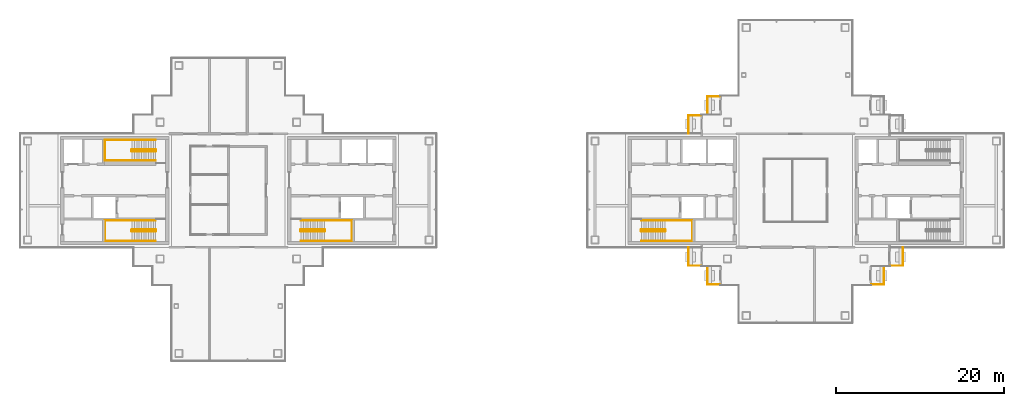
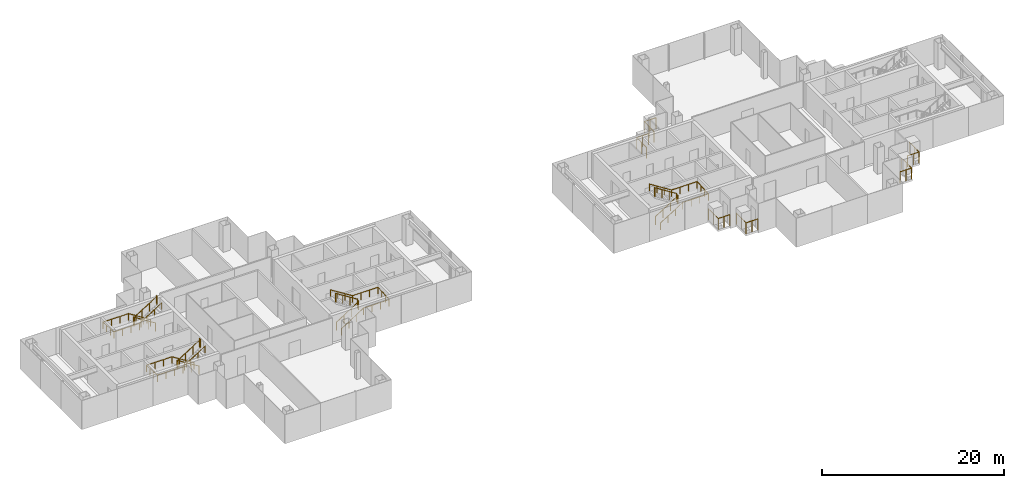
# One storey, part 14 of 16: 14 railings.
"""IFC4 building model written with IfcOpenShell, lengths in metres."""

from ifc_helpers import new_model, si_unit, direction, frame, origin, origin_2d, place, context, subcontext, project, spatial, circle, extrude, material, type_object, element, save


model = new_model("IFC4")

# Units and contexts
model_context = context("Model", 3, precision=1e-05, world=origin(), true_north=direction((0.0, 1.0)))
body_context = subcontext(model_context, "Body", "Model", "MODEL_VIEW")
ifc_project = project(units=[si_unit("LENGTHUNIT", "METRE"), si_unit("AREAUNIT", "SQUARE_METRE"), si_unit("VOLUMEUNIT", "CUBIC_METRE"), si_unit("PLANEANGLEUNIT", "RADIAN"), si_unit("MASSUNIT", "GRAM", prefix="KILO")], contexts=[model_context])

# Site, building, storey
site_placement = place(None, origin())
site = spatial("IfcSite", under=ifc_project, at=site_placement, CompositionType="ELEMENT")
building_placement = place(site_placement, origin())
building = spatial("IfcBuilding", under=site, at=building_placement, Name="Shamsa Quay Exchange Towers", CompositionType="ELEMENT")
storey_placement = place(building_placement, frame((0.0, 0.0, 246.0)))
storey = spatial("IfcBuildingStorey", under=building, at=storey_placement, Name="L59", CompositionType="ELEMENT", Elevation=246.0)

# Railings
ifc_material_1 = material(Name="Steel S355, black powder-coated", Category="steel")
railing_type_1 = type_object("IfcRailingType", Name="BALCONY GUARD 1500", PredefinedType="GUARDRAIL", material=ifc_material_1)
for number, where, name in (
    (1, (24.72900390625, 11.199951171875, 0.0), "Balcony guard T2-PKEN L59"),
    (2, (22.47900390625, 8.949951171875, 0.0), "Balcony guard T2-PKEN L59"),
):
    element("IfcRailing", number, at=place(storey_placement, frame(where)), inside=storey, type_object=railing_type_1, Name=name, PredefinedType="GUARDRAIL", context=body_context, shape_type="SweptSolid", body=[
        extrude(circle(Radius=0.02392578125, at=origin_2d()), frame((0.0, 0.0, 1.47607421875), z_axis=(-1.0, 0.0, 0.0), x_axis=(0.0, -1.0, 0.0)), (0.0, 0.0, 1.0), 1.47900390625),
        extrude(circle(Radius=0.02392578125, at=origin_2d()), frame((-1.47900390625, 0.0, 1.47607421875), z_axis=(0.0, -1.0, 0.0), x_axis=(1.0, 0.0, 0.0)), (0.0, 0.0, 1.0), 2.161865234375),
        extrude(circle(Radius=0.02099609375, at=origin_2d()), origin(), (0.0, 0.0, 1.0), 1.451904296875),
        extrude(circle(Radius=0.02099609375, at=origin_2d()), frame((-0.739501953125, 0.0, 0.0)), (0.0, 0.0, 1.0), 1.451904296875),
        extrude(circle(Radius=0.02099609375, at=origin_2d()), frame((-1.47900390625, 0.0, 0.0)), (0.0, 0.0, 1.0), 1.451904296875),
        extrude(circle(Radius=0.02099609375, at=origin_2d()), frame((-1.47900390625, -1.0810546875, 0.0)), (0.0, 0.0, 1.0), 1.451904296875),
        extrude(circle(Radius=0.02099609375, at=origin_2d()), frame((-1.47900390625, -2.161865234375, 0.0)), (0.0, 0.0, 1.0), 1.451904296875),
    ])
for number, where, name in (
    (3, (21.0, -6.7880859375, 0.0), "Balcony guard T2-PKWN L59"),
    (4, (23.25, -9.0380859375, 0.0), "Balcony guard T2-PKWN L59"),
):
    element("IfcRailing", number, at=place(storey_placement, frame(where)), inside=storey, type_object=railing_type_1, Name=name, PredefinedType="GUARDRAIL", context=body_context, shape_type="SweptSolid", body=[
        extrude(circle(Radius=0.02392578125, at=origin_2d()), frame((0.0, 0.0, 1.47607421875), z_axis=(0.0, -1.0, 0.0), x_axis=(1.0, 0.0, 0.0)), (0.0, 0.0, 1.0), 2.161865234375),
        extrude(circle(Radius=0.02392578125, at=origin_2d()), frame((0.0, -2.161865234375, 1.47607421875), z_axis=(1.0, 0.0, 0.0), x_axis=(0.0, 1.0, 0.0)), (0.0, 0.0, 1.0), 1.47900390625),
        extrude(circle(Radius=0.02099609375, at=origin_2d()), origin(), (0.0, 0.0, 1.0), 1.451904296875),
        extrude(circle(Radius=0.02099609375, at=origin_2d()), frame((0.0, -1.0810546875, 0.0)), (0.0, 0.0, 1.0), 1.451904296875),
        extrude(circle(Radius=0.02099609375, at=origin_2d()), frame((0.0, -2.161865234375, 0.0)), (0.0, 0.0, 1.0), 1.451904296875),
        extrude(circle(Radius=0.02099609375, at=origin_2d()), frame((0.739501953125, -2.161865234375, 0.0)), (0.0, 0.0, 1.0), 1.451904296875),
        extrude(circle(Radius=0.02099609375, at=origin_2d()), frame((1.47900390625, -2.161865234375, 0.0)), (0.0, 0.0, 1.0), 1.451904296875),
    ])
for number, where, name in (
    (5, (42.77099609375, -11.199951171875, 0.0), "Balcony guard T2-PKWS L59"),
    (6, (45.02099609375, -8.949951171875, 0.0), "Balcony guard T2-PKWS L59"),
):
    element("IfcRailing", number, at=place(storey_placement, frame(where)), inside=storey, type_object=railing_type_1, Name=name, PredefinedType="GUARDRAIL", context=body_context, shape_type="SweptSolid", body=[
        extrude(circle(Radius=0.02392578125, at=origin_2d()), frame((0.0, 0.0, 1.47607421875), z_axis=(1.0, 0.0, 0.0), x_axis=(0.0, 1.0, 0.0)), (0.0, 0.0, 1.0), 1.47900390625),
        extrude(circle(Radius=0.02392578125, at=origin_2d()), frame((1.47900390625, 0.0, 1.47607421875), z_axis=(0.0, 1.0, 0.0), x_axis=(-1.0, 0.0, 0.0)), (0.0, 0.0, 1.0), 2.161865234375),
        extrude(circle(Radius=0.02099609375, at=origin_2d()), origin(), (0.0, 0.0, 1.0), 1.451904296875),
        extrude(circle(Radius=0.02099609375, at=origin_2d()), frame((0.739501953125, 0.0, 0.0)), (0.0, 0.0, 1.0), 1.451904296875),
        extrude(circle(Radius=0.02099609375, at=origin_2d()), frame((1.47900390625, 0.0, 0.0)), (0.0, 0.0, 1.0), 1.451904296875),
        extrude(circle(Radius=0.02099609375, at=origin_2d()), frame((1.47900390625, 1.0810546875, 0.0)), (0.0, 0.0, 1.0), 1.451904296875),
        extrude(circle(Radius=0.02099609375, at=origin_2d()), frame((1.47900390625, 2.161865234375, 0.0)), (0.0, 0.0, 1.0), 1.451904296875),
    ])
ifc_material_2 = material(Name="Stainless steel", Category="steel")
railing_type_2 = type_object("IfcRailingType", Name="STAIR GUARD 1100", PredefinedType="GUARDRAIL", material=ifc_material_2)
railing_1_placement = place(storey_placement, frame((-25.10009765625, -4.89990234375, 0.17724609375)))
element("IfcRailing", 7, at=railing_1_placement, inside=storey, type_object=railing_type_2, Name="L59 ST1 stair guard 1", PredefinedType="GUARDRAIL", context=body_context, shape_type="SweptSolid", body=[
    extrude(circle(Radius=0.02392578125, at=origin_2d()), frame((0.0, 0.0, 1.076171875), z_axis=(0.844908973607, 0.0, 0.534910110503), x_axis=(0.0, 1.0, 0.0)), (0.0, 0.0, 1.0), 3.31396484375),
    extrude(circle(Radius=0.02392578125, at=origin_2d()), frame((2.800048828125, 0.0, 2.8486328125), z_axis=(0.708833529934, 0.705375805398, 0.0), x_axis=(-0.705375805398, 0.708833529934, 0.0)), (0.0, 0.0, 1.0), 0.070556640625),
    extrude(circle(Radius=0.02392578125, at=origin_2d()), frame((2.85009765625, 0.0498046875, 2.8486328125), z_axis=(0.0, 1.0, 0.0), x_axis=(-1.0, 0.0, 0.0)), (0.0, 0.0, 1.0), 0.150146484375),
    extrude(circle(Radius=0.02392578125, at=origin_2d()), frame((2.85009765625, 0.199951171875, 2.8486328125), z_axis=(-0.262233686654, 0.262233686654, 0.928691007369), x_axis=(-0.707106781187, -0.707106781187, 0.0)), (0.0, 0.0, 1.0), 0.19091796875),
    extrude(circle(Radius=0.02392578125, at=origin_2d()), frame((2.800048828125, 0.25, 3.02587890625), z_axis=(-0.844908973607, 0.0, 0.534910110503), x_axis=(0.0, -1.0, 0.0)), (0.0, 0.0, 1.0), 3.31396484375),
    extrude(circle(Radius=0.02392578125, at=origin_2d()), frame((0.0, 0.25, 4.798828125), z_axis=(-0.24142163986, -0.970420317083, 0.0), x_axis=(0.970420317083, -0.24142163986, 0.0)), (0.0, 0.0, 1.0), 0.206298828125),
    extrude(circle(Radius=0.02392578125, at=origin_2d()), frame((-0.0498046875, 0.0498046875, 4.798828125), z_axis=(0.0, 1.0, 0.0), x_axis=(-1.0, 0.0, 0.0)), (0.0, 0.0, 1.0), 0.150146484375),
    extrude(circle(Radius=0.02099609375, at=origin_2d()), origin(), (0.0, 0.0, 1.0), 1.052001953125),
    extrude(circle(Radius=0.02099609375, at=origin_2d()), frame((0.933349609375, 0.0, 0.5908203125)), (0.0, 0.0, 1.0), 1.052001953125),
    extrude(circle(Radius=0.02099609375, at=origin_2d()), frame((1.86669921875, 0.0, 1.181884765625)), (0.0, 0.0, 1.0), 1.052001953125),
    extrude(circle(Radius=0.02099609375, at=origin_2d()), frame((2.800048828125, 0.0, 1.772705078125)), (0.0, 0.0, 1.0), 1.052001953125),
    extrude(circle(Radius=0.02099609375, at=origin_2d()), frame((2.85009765625, 0.0498046875, 1.772705078125)), (0.0, 0.0, 1.0), 1.052001953125),
    extrude(circle(Radius=0.02099609375, at=origin_2d()), frame((2.85009765625, 0.199951171875, 1.772705078125)), (0.0, 0.0, 1.0), 1.052001953125),
    extrude(circle(Radius=0.02099609375, at=origin_2d()), frame((2.800048828125, 0.25, 1.949951171875)), (0.0, 0.0, 1.0), 1.052001953125),
    extrude(circle(Radius=0.02099609375, at=origin_2d()), frame((1.86669921875, 0.25, 2.540771484375)), (0.0, 0.0, 1.0), 1.052001953125),
    extrude(circle(Radius=0.02099609375, at=origin_2d()), frame((0.933349609375, 0.25, 3.1318359375)), (0.0, 0.0, 1.0), 1.052001953125),
    extrude(circle(Radius=0.02099609375, at=origin_2d()), frame((0.0, 0.25, 3.72265625)), (0.0, 0.0, 1.0), 1.052001953125),
    extrude(circle(Radius=0.02099609375, at=origin_2d()), frame((-0.0498046875, 0.0498046875, 3.72265625)), (0.0, 0.0, 1.0), 1.052001953125),
    extrude(circle(Radius=0.02099609375, at=origin_2d()), frame((-0.0498046875, 0.199951171875, 3.72265625)), (0.0, 0.0, 1.0), 1.052001953125),
])
railing_2_placement = place(storey_placement, frame((-42.39990234375, -4.64990234375, 0.17724609375)))
element("IfcRailing", 8, at=railing_2_placement, inside=storey, type_object=railing_type_2, Name="L59 ST2 stair guard 1", PredefinedType="GUARDRAIL", context=body_context, shape_type="SweptSolid", body=[
    extrude(circle(Radius=0.02392578125, at=origin_2d()), frame((0.0, 0.0, 1.076171875), z_axis=(-0.844908973607, 0.0, 0.534910110503), x_axis=(0.0, -1.0, 0.0)), (0.0, 0.0, 1.0), 3.31396484375),
    extrude(circle(Radius=0.02392578125, at=origin_2d()), frame((-2.800048828125, 0.0, 2.8486328125), z_axis=(-0.707106781187, -0.707106781187, 0.0), x_axis=(0.707106781187, -0.707106781187, 0.0)), (0.0, 0.0, 1.0), 0.07080078125),
    extrude(circle(Radius=0.02392578125, at=origin_2d()), frame((-2.85009765625, -0.050048828125, 2.8486328125), z_axis=(0.0, -1.0, 0.0), x_axis=(1.0, 0.0, 0.0)), (0.0, 0.0, 1.0), 0.150146484375),
    extrude(circle(Radius=0.02392578125, at=origin_2d()), frame((-2.85009765625, -0.2001953125, 2.8486328125), z_axis=(0.262321481514, -0.261041864531, 0.929001929653), x_axis=(0.705375805398, 0.708833529934, 0.0)), (0.0, 0.0, 1.0), 0.190673828125),
    extrude(circle(Radius=0.02392578125, at=origin_2d()), frame((-2.800048828125, -0.25, 3.02587890625), z_axis=(0.844908973607, 0.0, 0.534910110503), x_axis=(0.0, 1.0, 0.0)), (0.0, 0.0, 1.0), 3.31396484375),
    extrude(circle(Radius=0.02392578125, at=origin_2d()), frame((0.0, -0.25, 4.798828125), z_axis=(0.241699205484, 0.970351222016, 0.0), x_axis=(-0.970351222016, 0.241699205484, 0.0)), (0.0, 0.0, 1.0), 0.2060546875),
    extrude(circle(Radius=0.02392578125, at=origin_2d()), frame((0.0498046875, -0.050048828125, 4.798828125), z_axis=(0.0, -1.0, 0.0), x_axis=(1.0, 0.0, 0.0)), (0.0, 0.0, 1.0), 0.150146484375),
    extrude(circle(Radius=0.02099609375, at=origin_2d()), origin(), (0.0, 0.0, 1.0), 1.052001953125),
    extrude(circle(Radius=0.02099609375, at=origin_2d()), frame((-0.933349609375, 0.0, 0.5908203125)), (0.0, 0.0, 1.0), 1.052001953125),
    extrude(circle(Radius=0.02099609375, at=origin_2d()), frame((-1.86669921875, 0.0, 1.181884765625)), (0.0, 0.0, 1.0), 1.052001953125),
    extrude(circle(Radius=0.02099609375, at=origin_2d()), frame((-2.800048828125, 0.0, 1.772705078125)), (0.0, 0.0, 1.0), 1.052001953125),
    extrude(circle(Radius=0.02099609375, at=origin_2d()), frame((-2.85009765625, -0.050048828125, 1.772705078125)), (0.0, 0.0, 1.0), 1.052001953125),
    extrude(circle(Radius=0.02099609375, at=origin_2d()), frame((-2.85009765625, -0.2001953125, 1.772705078125)), (0.0, 0.0, 1.0), 1.052001953125),
    extrude(circle(Radius=0.02099609375, at=origin_2d()), frame((-2.800048828125, -0.25, 1.949951171875)), (0.0, 0.0, 1.0), 1.052001953125),
    extrude(circle(Radius=0.02099609375, at=origin_2d()), frame((-1.86669921875, -0.25, 2.540771484375)), (0.0, 0.0, 1.0), 1.052001953125),
    extrude(circle(Radius=0.02099609375, at=origin_2d()), frame((-0.933349609375, -0.25, 3.1318359375)), (0.0, 0.0, 1.0), 1.052001953125),
    extrude(circle(Radius=0.02099609375, at=origin_2d()), frame((0.0, -0.25, 3.72265625)), (0.0, 0.0, 1.0), 1.052001953125),
    extrude(circle(Radius=0.02099609375, at=origin_2d()), frame((0.0498046875, -0.050048828125, 3.72265625)), (0.0, 0.0, 1.0), 1.052001953125),
    extrude(circle(Radius=0.02099609375, at=origin_2d()), frame((0.0498046875, -0.2001953125, 3.72265625)), (0.0, 0.0, 1.0), 1.052001953125),
])
railing_3_placement = place(storey_placement, frame((-42.39990234375, 4.89990234375, 0.17724609375)))
element("IfcRailing", 9, at=railing_3_placement, inside=storey, type_object=railing_type_2, Name="L59 ST3 stair guard 1", PredefinedType="GUARDRAIL", context=body_context, shape_type="SweptSolid", body=[
    extrude(circle(Radius=0.02392578125, at=origin_2d()), frame((0.0, 0.0, 1.076171875), z_axis=(-0.844908973607, 0.0, 0.534910110503), x_axis=(0.0, -1.0, 0.0)), (0.0, 0.0, 1.0), 3.31396484375),
    extrude(circle(Radius=0.02392578125, at=origin_2d()), frame((-2.800048828125, 0.0, 2.8486328125), z_axis=(-0.708833529934, -0.705375805398, 0.0), x_axis=(0.705375805398, -0.708833529934, 0.0)), (0.0, 0.0, 1.0), 0.070556640625),
    extrude(circle(Radius=0.02392578125, at=origin_2d()), frame((-2.85009765625, -0.0498046875, 2.8486328125), z_axis=(0.0, -1.0, 0.0), x_axis=(1.0, 0.0, 0.0)), (0.0, 0.0, 1.0), 0.150146484375),
    extrude(circle(Radius=0.02392578125, at=origin_2d()), frame((-2.85009765625, -0.199951171875, 2.8486328125), z_axis=(0.262233686654, -0.262233686654, 0.928691007369), x_axis=(0.707106781187, 0.707106781187, 0.0)), (0.0, 0.0, 1.0), 0.19091796875),
    extrude(circle(Radius=0.02392578125, at=origin_2d()), frame((-2.800048828125, -0.25, 3.02587890625), z_axis=(0.844908973607, 0.0, 0.534910110503), x_axis=(0.0, 1.0, 0.0)), (0.0, 0.0, 1.0), 3.31396484375),
    extrude(circle(Radius=0.02392578125, at=origin_2d()), frame((0.0, -0.25, 4.798828125), z_axis=(0.24142163986, 0.970420317083, 0.0), x_axis=(-0.970420317083, 0.24142163986, 0.0)), (0.0, 0.0, 1.0), 0.206298828125),
    extrude(circle(Radius=0.02392578125, at=origin_2d()), frame((0.0498046875, -0.0498046875, 4.798828125), z_axis=(0.0, -1.0, 0.0), x_axis=(1.0, 0.0, 0.0)), (0.0, 0.0, 1.0), 0.150146484375),
    extrude(circle(Radius=0.02099609375, at=origin_2d()), origin(), (0.0, 0.0, 1.0), 1.052001953125),
    extrude(circle(Radius=0.02099609375, at=origin_2d()), frame((-0.933349609375, 0.0, 0.5908203125)), (0.0, 0.0, 1.0), 1.052001953125),
    extrude(circle(Radius=0.02099609375, at=origin_2d()), frame((-1.86669921875, 0.0, 1.181884765625)), (0.0, 0.0, 1.0), 1.052001953125),
    extrude(circle(Radius=0.02099609375, at=origin_2d()), frame((-2.800048828125, 0.0, 1.772705078125)), (0.0, 0.0, 1.0), 1.052001953125),
    extrude(circle(Radius=0.02099609375, at=origin_2d()), frame((-2.85009765625, -0.0498046875, 1.772705078125)), (0.0, 0.0, 1.0), 1.052001953125),
    extrude(circle(Radius=0.02099609375, at=origin_2d()), frame((-2.85009765625, -0.199951171875, 1.772705078125)), (0.0, 0.0, 1.0), 1.052001953125),
    extrude(circle(Radius=0.02099609375, at=origin_2d()), frame((-2.800048828125, -0.25, 1.949951171875)), (0.0, 0.0, 1.0), 1.052001953125),
    extrude(circle(Radius=0.02099609375, at=origin_2d()), frame((-1.86669921875, -0.25, 2.540771484375)), (0.0, 0.0, 1.0), 1.052001953125),
    extrude(circle(Radius=0.02099609375, at=origin_2d()), frame((-0.933349609375, -0.25, 3.1318359375)), (0.0, 0.0, 1.0), 1.052001953125),
    extrude(circle(Radius=0.02099609375, at=origin_2d()), frame((0.0, -0.25, 3.72265625)), (0.0, 0.0, 1.0), 1.052001953125),
    extrude(circle(Radius=0.02099609375, at=origin_2d()), frame((0.0498046875, -0.0498046875, 3.72265625)), (0.0, 0.0, 1.0), 1.052001953125),
    extrude(circle(Radius=0.02099609375, at=origin_2d()), frame((0.0498046875, -0.199951171875, 3.72265625)), (0.0, 0.0, 1.0), 1.052001953125),
])
railing_4_placement = place(storey_placement, frame((15.39990234375, -4.89990234375, 0.17724609375)))
element("IfcRailing", 10, at=railing_4_placement, inside=storey, type_object=railing_type_2, Name="L59 ST4 stair guard 1", PredefinedType="GUARDRAIL", context=body_context, shape_type="SweptSolid", body=[
    extrude(circle(Radius=0.02392578125, at=origin_2d()), frame((0.0, 0.0, 1.076171875), z_axis=(0.844908973607, 0.0, 0.534910110503), x_axis=(0.0, 1.0, 0.0)), (0.0, 0.0, 1.0), 3.31396484375),
    extrude(circle(Radius=0.02392578125, at=origin_2d()), frame((2.800048828125, 0.0, 2.8486328125), z_axis=(0.708833529934, 0.705375805398, 0.0), x_axis=(-0.705375805398, 0.708833529934, 0.0)), (0.0, 0.0, 1.0), 0.070556640625),
    extrude(circle(Radius=0.02392578125, at=origin_2d()), frame((2.85009765625, 0.0498046875, 2.8486328125), z_axis=(0.0, 1.0, 0.0), x_axis=(-1.0, 0.0, 0.0)), (0.0, 0.0, 1.0), 0.150146484375),
    extrude(circle(Radius=0.02392578125, at=origin_2d()), frame((2.85009765625, 0.199951171875, 2.8486328125), z_axis=(-0.262233686654, 0.262233686654, 0.928691007369), x_axis=(-0.707106781187, -0.707106781187, 0.0)), (0.0, 0.0, 1.0), 0.19091796875),
    extrude(circle(Radius=0.02392578125, at=origin_2d()), frame((2.800048828125, 0.25, 3.02587890625), z_axis=(-0.844908973607, 0.0, 0.534910110503), x_axis=(0.0, -1.0, 0.0)), (0.0, 0.0, 1.0), 3.31396484375),
    extrude(circle(Radius=0.02392578125, at=origin_2d()), frame((0.0, 0.25, 4.798828125), z_axis=(-0.24142163986, -0.970420317083, 0.0), x_axis=(0.970420317083, -0.24142163986, 0.0)), (0.0, 0.0, 1.0), 0.206298828125),
    extrude(circle(Radius=0.02392578125, at=origin_2d()), frame((-0.0498046875, 0.0498046875, 4.798828125), z_axis=(0.0, 1.0, 0.0), x_axis=(-1.0, 0.0, 0.0)), (0.0, 0.0, 1.0), 0.150146484375),
    extrude(circle(Radius=0.02099609375, at=origin_2d()), origin(), (0.0, 0.0, 1.0), 1.052001953125),
    extrude(circle(Radius=0.02099609375, at=origin_2d()), frame((0.933349609375, 0.0, 0.5908203125)), (0.0, 0.0, 1.0), 1.052001953125),
    extrude(circle(Radius=0.02099609375, at=origin_2d()), frame((1.86669921875, 0.0, 1.181884765625)), (0.0, 0.0, 1.0), 1.052001953125),
    extrude(circle(Radius=0.02099609375, at=origin_2d()), frame((2.800048828125, 0.0, 1.772705078125)), (0.0, 0.0, 1.0), 1.052001953125),
    extrude(circle(Radius=0.02099609375, at=origin_2d()), frame((2.85009765625, 0.0498046875, 1.772705078125)), (0.0, 0.0, 1.0), 1.052001953125),
    extrude(circle(Radius=0.02099609375, at=origin_2d()), frame((2.85009765625, 0.199951171875, 1.772705078125)), (0.0, 0.0, 1.0), 1.052001953125),
    extrude(circle(Radius=0.02099609375, at=origin_2d()), frame((2.800048828125, 0.25, 1.949951171875)), (0.0, 0.0, 1.0), 1.052001953125),
    extrude(circle(Radius=0.02099609375, at=origin_2d()), frame((1.86669921875, 0.25, 2.540771484375)), (0.0, 0.0, 1.0), 1.052001953125),
    extrude(circle(Radius=0.02099609375, at=origin_2d()), frame((0.933349609375, 0.25, 3.1318359375)), (0.0, 0.0, 1.0), 1.052001953125),
    extrude(circle(Radius=0.02099609375, at=origin_2d()), frame((0.0, 0.25, 3.72265625)), (0.0, 0.0, 1.0), 1.052001953125),
    extrude(circle(Radius=0.02099609375, at=origin_2d()), frame((-0.0498046875, 0.0498046875, 3.72265625)), (0.0, 0.0, 1.0), 1.052001953125),
    extrude(circle(Radius=0.02099609375, at=origin_2d()), frame((-0.0498046875, 0.199951171875, 3.72265625)), (0.0, 0.0, 1.0), 1.052001953125),
])
railing_type_3 = type_object("IfcRailingType", Name="STAIR HANDRAIL 900", PredefinedType="HANDRAIL", material=ifc_material_2)
railing_5_placement = place(storey_placement, frame((-25.10009765625, -6.0, 0.17724609375)))
element("IfcRailing", 11, at=railing_5_placement, inside=storey, type_object=railing_type_3, Name="L59 ST1 stair handrail 1", PredefinedType="HANDRAIL", context=body_context, shape_type="SweptSolid", body=[
    extrude(circle(Radius=0.02392578125, at=origin_2d()), frame((0.0, 0.0, 0.8759765625), z_axis=(0.844908973607, 0.0, 0.534910110503), x_axis=(0.0, 1.0, 0.0)), (0.0, 0.0, 1.0), 3.31396484375),
    extrude(circle(Radius=0.02392578125, at=origin_2d()), frame((2.800048828125, 0.0, 2.6484375), z_axis=(1.0, 0.0, 0.0), x_axis=(0.0, 1.0, 0.0)), (0.0, 0.0, 1.0), 3.25),
    extrude(circle(Radius=0.02392578125, at=origin_2d()), frame((6.050048828125, 0.0, 2.6484375), z_axis=(0.0, 0.997393199914, 0.07215819264), x_axis=(-1.0, 0.0, 0.0)), (0.0, 0.0, 1.0), 2.456298828125),
    extrude(circle(Radius=0.02392578125, at=origin_2d()), frame((6.050048828125, 2.449951171875, 2.82568359375), z_axis=(-1.0, 0.0, 0.0), x_axis=(0.0, -1.0, 0.0)), (0.0, 0.0, 1.0), 3.25),
    extrude(circle(Radius=0.02392578125, at=origin_2d()), frame((2.800048828125, 2.449951171875, 2.82568359375), z_axis=(-0.844908973607, 0.0, 0.534910110503), x_axis=(0.0, -1.0, 0.0)), (0.0, 0.0, 1.0), 3.31396484375),
    extrude(circle(Radius=0.02099609375, at=origin_2d()), origin(), (0.0, 0.0, 1.0), 0.851806640625),
    extrude(circle(Radius=0.02099609375, at=origin_2d()), frame((0.933349609375, 0.0, 0.5908203125)), (0.0, 0.0, 1.0), 0.851806640625),
    extrude(circle(Radius=0.02099609375, at=origin_2d()), frame((1.86669921875, 0.0, 1.181884765625)), (0.0, 0.0, 1.0), 0.851806640625),
    extrude(circle(Radius=0.02099609375, at=origin_2d()), frame((2.800048828125, 0.0, 1.772705078125)), (0.0, 0.0, 1.0), 0.851806640625),
    extrude(circle(Radius=0.02099609375, at=origin_2d()), frame((3.88330078125, 0.0, 1.772705078125)), (0.0, 0.0, 1.0), 0.851806640625),
    extrude(circle(Radius=0.02099609375, at=origin_2d()), frame((4.966796875, 0.0, 1.772705078125)), (0.0, 0.0, 1.0), 0.851806640625),
    extrude(circle(Radius=0.02099609375, at=origin_2d()), frame((6.050048828125, 0.0, 1.772705078125)), (0.0, 0.0, 1.0), 0.851806640625),
    extrude(circle(Radius=0.02099609375, at=origin_2d()), frame((6.050048828125, 0.816650390625, 1.831787109375)), (0.0, 0.0, 1.0), 0.851806640625),
    extrude(circle(Radius=0.02099609375, at=origin_2d()), frame((6.050048828125, 1.63330078125, 1.890869140625)), (0.0, 0.0, 1.0), 0.851806640625),
    extrude(circle(Radius=0.02099609375, at=origin_2d()), frame((6.050048828125, 2.449951171875, 1.949951171875)), (0.0, 0.0, 1.0), 0.851806640625),
    extrude(circle(Radius=0.02099609375, at=origin_2d()), frame((4.966796875, 2.449951171875, 1.949951171875)), (0.0, 0.0, 1.0), 0.851806640625),
    extrude(circle(Radius=0.02099609375, at=origin_2d()), frame((3.88330078125, 2.449951171875, 1.949951171875)), (0.0, 0.0, 1.0), 0.851806640625),
    extrude(circle(Radius=0.02099609375, at=origin_2d()), frame((2.800048828125, 2.449951171875, 1.949951171875)), (0.0, 0.0, 1.0), 0.851806640625),
    extrude(circle(Radius=0.02099609375, at=origin_2d()), frame((1.86669921875, 2.449951171875, 2.540771484375)), (0.0, 0.0, 1.0), 0.851806640625),
    extrude(circle(Radius=0.02099609375, at=origin_2d()), frame((0.933349609375, 2.449951171875, 3.1318359375)), (0.0, 0.0, 1.0), 0.851806640625),
    extrude(circle(Radius=0.02099609375, at=origin_2d()), frame((0.0, 2.449951171875, 3.72265625)), (0.0, 0.0, 1.0), 0.851806640625),
])
railing_6_placement = place(storey_placement, frame((-42.39990234375, -3.550048828125, 0.17724609375)))
element("IfcRailing", 12, at=railing_6_placement, inside=storey, type_object=railing_type_3, Name="L59 ST2 stair handrail 1", PredefinedType="HANDRAIL", context=body_context, shape_type="SweptSolid", body=[
    extrude(circle(Radius=0.02392578125, at=origin_2d()), frame((0.0, 0.0, 0.8759765625), z_axis=(-0.844908973607, 0.0, 0.534910110503), x_axis=(0.0, -1.0, 0.0)), (0.0, 0.0, 1.0), 3.31396484375),
    extrude(circle(Radius=0.02392578125, at=origin_2d()), frame((-2.800048828125, 0.0, 2.6484375), z_axis=(-1.0, 0.0, 0.0), x_axis=(0.0, -1.0, 0.0)), (0.0, 0.0, 1.0), 3.25),
    extrude(circle(Radius=0.02392578125, at=origin_2d()), frame((-6.050048828125, 0.0, 2.6484375), z_axis=(0.0, -0.997393199914, 0.07215819264), x_axis=(1.0, 0.0, 0.0)), (0.0, 0.0, 1.0), 2.456298828125),
    extrude(circle(Radius=0.02392578125, at=origin_2d()), frame((-6.050048828125, -2.449951171875, 2.82568359375), z_axis=(1.0, 0.0, 0.0), x_axis=(0.0, 1.0, 0.0)), (0.0, 0.0, 1.0), 3.25),
    extrude(circle(Radius=0.02392578125, at=origin_2d()), frame((-2.800048828125, -2.449951171875, 2.82568359375), z_axis=(0.844908973607, 0.0, 0.534910110503), x_axis=(0.0, 1.0, 0.0)), (0.0, 0.0, 1.0), 3.31396484375),
    extrude(circle(Radius=0.02099609375, at=origin_2d()), origin(), (0.0, 0.0, 1.0), 0.851806640625),
    extrude(circle(Radius=0.02099609375, at=origin_2d()), frame((-0.933349609375, 0.0, 0.5908203125)), (0.0, 0.0, 1.0), 0.851806640625),
    extrude(circle(Radius=0.02099609375, at=origin_2d()), frame((-1.86669921875, 0.0, 1.181884765625)), (0.0, 0.0, 1.0), 0.851806640625),
    extrude(circle(Radius=0.02099609375, at=origin_2d()), frame((-2.800048828125, 0.0, 1.772705078125)), (0.0, 0.0, 1.0), 0.851806640625),
    extrude(circle(Radius=0.02099609375, at=origin_2d()), frame((-3.88330078125, 0.0, 1.772705078125)), (0.0, 0.0, 1.0), 0.851806640625),
    extrude(circle(Radius=0.02099609375, at=origin_2d()), frame((-4.966796875, 0.0, 1.772705078125)), (0.0, 0.0, 1.0), 0.851806640625),
    extrude(circle(Radius=0.02099609375, at=origin_2d()), frame((-6.050048828125, 0.0, 1.772705078125)), (0.0, 0.0, 1.0), 0.851806640625),
    extrude(circle(Radius=0.02099609375, at=origin_2d()), frame((-6.050048828125, -0.816650390625, 1.831787109375)), (0.0, 0.0, 1.0), 0.851806640625),
    extrude(circle(Radius=0.02099609375, at=origin_2d()), frame((-6.050048828125, -1.63330078125, 1.890869140625)), (0.0, 0.0, 1.0), 0.851806640625),
    extrude(circle(Radius=0.02099609375, at=origin_2d()), frame((-6.050048828125, -2.449951171875, 1.949951171875)), (0.0, 0.0, 1.0), 0.851806640625),
    extrude(circle(Radius=0.02099609375, at=origin_2d()), frame((-4.966796875, -2.449951171875, 1.949951171875)), (0.0, 0.0, 1.0), 0.851806640625),
    extrude(circle(Radius=0.02099609375, at=origin_2d()), frame((-3.88330078125, -2.449951171875, 1.949951171875)), (0.0, 0.0, 1.0), 0.851806640625),
    extrude(circle(Radius=0.02099609375, at=origin_2d()), frame((-2.800048828125, -2.449951171875, 1.949951171875)), (0.0, 0.0, 1.0), 0.851806640625),
    extrude(circle(Radius=0.02099609375, at=origin_2d()), frame((-1.86669921875, -2.449951171875, 2.540771484375)), (0.0, 0.0, 1.0), 0.851806640625),
    extrude(circle(Radius=0.02099609375, at=origin_2d()), frame((-0.933349609375, -2.449951171875, 3.1318359375)), (0.0, 0.0, 1.0), 0.851806640625),
    extrude(circle(Radius=0.02099609375, at=origin_2d()), frame((0.0, -2.449951171875, 3.72265625)), (0.0, 0.0, 1.0), 0.851806640625),
])
railing_7_placement = place(storey_placement, frame((-42.39990234375, 6.0, 0.17724609375)))
element("IfcRailing", 13, at=railing_7_placement, inside=storey, type_object=railing_type_3, Name="L59 ST3 stair handrail 1", PredefinedType="HANDRAIL", context=body_context, shape_type="SweptSolid", body=[
    extrude(circle(Radius=0.02392578125, at=origin_2d()), frame((0.0, 0.0, 0.8759765625), z_axis=(-0.844908973607, 0.0, 0.534910110503), x_axis=(0.0, -1.0, 0.0)), (0.0, 0.0, 1.0), 3.31396484375),
    extrude(circle(Radius=0.02392578125, at=origin_2d()), frame((-2.800048828125, 0.0, 2.6484375), z_axis=(-1.0, 0.0, 0.0), x_axis=(0.0, -1.0, 0.0)), (0.0, 0.0, 1.0), 3.25),
    extrude(circle(Radius=0.02392578125, at=origin_2d()), frame((-6.050048828125, 0.0, 2.6484375), z_axis=(0.0, -0.997393199914, 0.07215819264), x_axis=(1.0, 0.0, 0.0)), (0.0, 0.0, 1.0), 2.456298828125),
    extrude(circle(Radius=0.02392578125, at=origin_2d()), frame((-6.050048828125, -2.449951171875, 2.82568359375), z_axis=(1.0, 0.0, 0.0), x_axis=(0.0, 1.0, 0.0)), (0.0, 0.0, 1.0), 3.25),
    extrude(circle(Radius=0.02392578125, at=origin_2d()), frame((-2.800048828125, -2.449951171875, 2.82568359375), z_axis=(0.844908973607, 0.0, 0.534910110503), x_axis=(0.0, 1.0, 0.0)), (0.0, 0.0, 1.0), 3.31396484375),
    extrude(circle(Radius=0.02099609375, at=origin_2d()), origin(), (0.0, 0.0, 1.0), 0.851806640625),
    extrude(circle(Radius=0.02099609375, at=origin_2d()), frame((-0.933349609375, 0.0, 0.5908203125)), (0.0, 0.0, 1.0), 0.851806640625),
    extrude(circle(Radius=0.02099609375, at=origin_2d()), frame((-1.86669921875, 0.0, 1.181884765625)), (0.0, 0.0, 1.0), 0.851806640625),
    extrude(circle(Radius=0.02099609375, at=origin_2d()), frame((-2.800048828125, 0.0, 1.772705078125)), (0.0, 0.0, 1.0), 0.851806640625),
    extrude(circle(Radius=0.02099609375, at=origin_2d()), frame((-3.88330078125, 0.0, 1.772705078125)), (0.0, 0.0, 1.0), 0.851806640625),
    extrude(circle(Radius=0.02099609375, at=origin_2d()), frame((-4.966796875, 0.0, 1.772705078125)), (0.0, 0.0, 1.0), 0.851806640625),
    extrude(circle(Radius=0.02099609375, at=origin_2d()), frame((-6.050048828125, 0.0, 1.772705078125)), (0.0, 0.0, 1.0), 0.851806640625),
    extrude(circle(Radius=0.02099609375, at=origin_2d()), frame((-6.050048828125, -0.816650390625, 1.831787109375)), (0.0, 0.0, 1.0), 0.851806640625),
    extrude(circle(Radius=0.02099609375, at=origin_2d()), frame((-6.050048828125, -1.63330078125, 1.890869140625)), (0.0, 0.0, 1.0), 0.851806640625),
    extrude(circle(Radius=0.02099609375, at=origin_2d()), frame((-6.050048828125, -2.449951171875, 1.949951171875)), (0.0, 0.0, 1.0), 0.851806640625),
    extrude(circle(Radius=0.02099609375, at=origin_2d()), frame((-4.966796875, -2.449951171875, 1.949951171875)), (0.0, 0.0, 1.0), 0.851806640625),
    extrude(circle(Radius=0.02099609375, at=origin_2d()), frame((-3.88330078125, -2.449951171875, 1.949951171875)), (0.0, 0.0, 1.0), 0.851806640625),
    extrude(circle(Radius=0.02099609375, at=origin_2d()), frame((-2.800048828125, -2.449951171875, 1.949951171875)), (0.0, 0.0, 1.0), 0.851806640625),
    extrude(circle(Radius=0.02099609375, at=origin_2d()), frame((-1.86669921875, -2.449951171875, 2.540771484375)), (0.0, 0.0, 1.0), 0.851806640625),
    extrude(circle(Radius=0.02099609375, at=origin_2d()), frame((-0.933349609375, -2.449951171875, 3.1318359375)), (0.0, 0.0, 1.0), 0.851806640625),
    extrude(circle(Radius=0.02099609375, at=origin_2d()), frame((0.0, -2.449951171875, 3.72265625)), (0.0, 0.0, 1.0), 0.851806640625),
])
railing_8_placement = place(storey_placement, frame((15.39990234375, -6.0, 0.17724609375)))
element("IfcRailing", 14, at=railing_8_placement, inside=storey, type_object=railing_type_3, Name="L59 ST4 stair handrail 1", PredefinedType="HANDRAIL", context=body_context, shape_type="SweptSolid", body=[
    extrude(circle(Radius=0.02392578125, at=origin_2d()), frame((0.0, 0.0, 0.8759765625), z_axis=(0.844908973607, 0.0, 0.534910110503), x_axis=(0.0, 1.0, 0.0)), (0.0, 0.0, 1.0), 3.31396484375),
    extrude(circle(Radius=0.02392578125, at=origin_2d()), frame((2.800048828125, 0.0, 2.6484375), z_axis=(1.0, 0.0, 0.0), x_axis=(0.0, 1.0, 0.0)), (0.0, 0.0, 1.0), 3.25),
    extrude(circle(Radius=0.02392578125, at=origin_2d()), frame((6.050048828125, 0.0, 2.6484375), z_axis=(0.0, 0.997393199914, 0.07215819264), x_axis=(-1.0, 0.0, 0.0)), (0.0, 0.0, 1.0), 2.456298828125),
    extrude(circle(Radius=0.02392578125, at=origin_2d()), frame((6.050048828125, 2.449951171875, 2.82568359375), z_axis=(-1.0, 0.0, 0.0), x_axis=(0.0, -1.0, 0.0)), (0.0, 0.0, 1.0), 3.25),
    extrude(circle(Radius=0.02392578125, at=origin_2d()), frame((2.800048828125, 2.449951171875, 2.82568359375), z_axis=(-0.844908973607, 0.0, 0.534910110503), x_axis=(0.0, -1.0, 0.0)), (0.0, 0.0, 1.0), 3.31396484375),
    extrude(circle(Radius=0.02099609375, at=origin_2d()), origin(), (0.0, 0.0, 1.0), 0.851806640625),
    extrude(circle(Radius=0.02099609375, at=origin_2d()), frame((0.933349609375, 0.0, 0.5908203125)), (0.0, 0.0, 1.0), 0.851806640625),
    extrude(circle(Radius=0.02099609375, at=origin_2d()), frame((1.86669921875, 0.0, 1.181884765625)), (0.0, 0.0, 1.0), 0.851806640625),
    extrude(circle(Radius=0.02099609375, at=origin_2d()), frame((2.800048828125, 0.0, 1.772705078125)), (0.0, 0.0, 1.0), 0.851806640625),
    extrude(circle(Radius=0.02099609375, at=origin_2d()), frame((3.88330078125, 0.0, 1.772705078125)), (0.0, 0.0, 1.0), 0.851806640625),
    extrude(circle(Radius=0.02099609375, at=origin_2d()), frame((4.966796875, 0.0, 1.772705078125)), (0.0, 0.0, 1.0), 0.851806640625),
    extrude(circle(Radius=0.02099609375, at=origin_2d()), frame((6.050048828125, 0.0, 1.772705078125)), (0.0, 0.0, 1.0), 0.851806640625),
    extrude(circle(Radius=0.02099609375, at=origin_2d()), frame((6.050048828125, 0.816650390625, 1.831787109375)), (0.0, 0.0, 1.0), 0.851806640625),
    extrude(circle(Radius=0.02099609375, at=origin_2d()), frame((6.050048828125, 1.63330078125, 1.890869140625)), (0.0, 0.0, 1.0), 0.851806640625),
    extrude(circle(Radius=0.02099609375, at=origin_2d()), frame((6.050048828125, 2.449951171875, 1.949951171875)), (0.0, 0.0, 1.0), 0.851806640625),
    extrude(circle(Radius=0.02099609375, at=origin_2d()), frame((4.966796875, 2.449951171875, 1.949951171875)), (0.0, 0.0, 1.0), 0.851806640625),
    extrude(circle(Radius=0.02099609375, at=origin_2d()), frame((3.88330078125, 2.449951171875, 1.949951171875)), (0.0, 0.0, 1.0), 0.851806640625),
    extrude(circle(Radius=0.02099609375, at=origin_2d()), frame((2.800048828125, 2.449951171875, 1.949951171875)), (0.0, 0.0, 1.0), 0.851806640625),
    extrude(circle(Radius=0.02099609375, at=origin_2d()), frame((1.86669921875, 2.449951171875, 2.540771484375)), (0.0, 0.0, 1.0), 0.851806640625),
    extrude(circle(Radius=0.02099609375, at=origin_2d()), frame((0.933349609375, 2.449951171875, 3.1318359375)), (0.0, 0.0, 1.0), 0.851806640625),
    extrude(circle(Radius=0.02099609375, at=origin_2d()), frame((0.0, 2.449951171875, 3.72265625)), (0.0, 0.0, 1.0), 0.851806640625),
])

save(model, "model.ifc")
